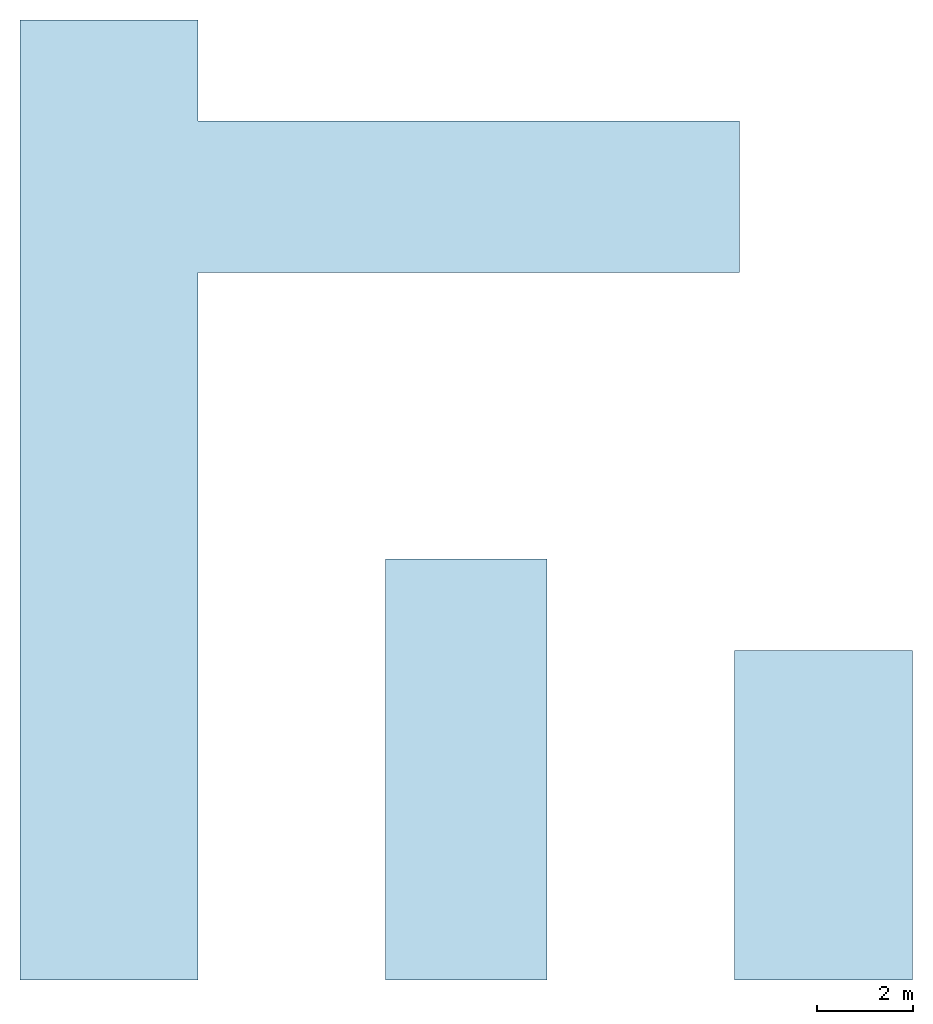
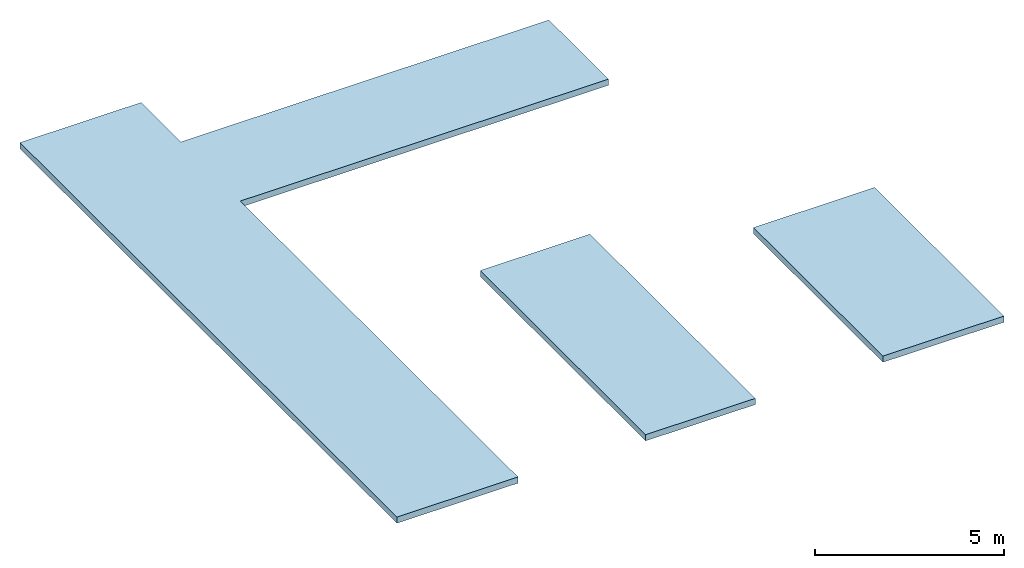
# One storey: 3 slabs.
"""IFC4 building model written with IfcOpenShell, lengths in metres."""

from ifc_helpers import new_model, si_unit, direction, frame, origin, place, context, subcontext, project, spatial, polyline, outline, extrude, material, layer, layer_set, type_object, element, save


model = new_model("IFC4")

# Units and contexts
model_context = context("Model", 3, precision=1e-05, world=origin(), true_north=direction((0.0, 1.0)))
body_context = subcontext(model_context, "Body", "Model", "MODEL_VIEW")
ifc_project = project(units=[si_unit("LENGTHUNIT", "METRE"), si_unit("AREAUNIT", "SQUARE_METRE"), si_unit("VOLUMEUNIT", "CUBIC_METRE"), si_unit("PLANEANGLEUNIT", "RADIAN"), si_unit("MASSUNIT", "GRAM", prefix="KILO")], contexts=[model_context])

# Site, building, storey
site_placement = place(None, origin())
site = spatial("IfcSite", under=ifc_project, at=site_placement, CompositionType="ELEMENT")
building_placement = place(site_placement, origin())
building = spatial("IfcBuilding", under=site, at=building_placement, Name="Welwitschia Terrace Campus", CompositionType="ELEMENT")
storey_placement = place(building_placement, frame((0.0, 0.0, 347.0)))
storey = spatial("IfcBuildingStorey", under=building, at=storey_placement, Name="UPPER ROOF", CompositionType="ELEMENT", Elevation=347.0)

# Slabs
ifc_material = material(Name="Concrete C40/50", Category="concrete")
ifc_layer = layer(ifc_material, 0.199951171875)
ifc_layer_set = layer_set([ifc_layer], Name="Concrete C40/50")
slab_type = type_object("IfcSlabType", Name="Headhouse roof slab", PredefinedType="ROOF", material=ifc_layer_set)
slab_1_placement = place(storey_placement, origin())
element("IfcSlab", 1, at=slab_1_placement, inside=storey, type_object=slab_type, Name="Head house roof", PredefinedType="ROOF", context=body_context, shape_type="SweptSolid", body=[
    extrude(outline(polyline([(5.72509765625, 11.675048828125), (5.72509765625, 11.97509765625), (5.72509765625, 18.22509765625), (5.72509765625, 18.52490234375), (5.72509765625, 25.074951171875), (9.425048828125, 25.074951171875), (9.425048828125, 22.97509765625), (20.675048828125, 22.97509765625), (20.675048828125, 19.824951171875), (9.425048828125, 19.824951171875), (9.425048828125, 18.52490234375), (9.425048828125, 18.22509765625), (9.425048828125, 11.97509765625), (9.425048828125, 11.675048828125), (9.425048828125, 5.125), (5.72509765625, 5.125), (5.72509765625, 11.675048828125)])), origin(), (0.0, 0.0, 1.0), 0.199951171875),
])
slab_2_placement = place(storey_placement, origin())
element("IfcSlab", 2, at=slab_2_placement, inside=storey, type_object=slab_type, Name="Head house roof", PredefinedType="ROOF", context=body_context, shape_type="SweptSolid", body=[
    extrude(outline(polyline([(24.27490234375, 11.97509765625), (24.27490234375, 5.125), (20.574951171875, 5.125), (20.574951171875, 11.97509765625), (24.27490234375, 11.97509765625)])), origin(), (0.0, 0.0, 1.0), 0.199951171875),
])
slab_3_placement = place(storey_placement, origin())
element("IfcSlab", 3, at=slab_3_placement, inside=storey, type_object=slab_type, Name="Head house roof", PredefinedType="ROOF", context=body_context, shape_type="SweptSolid", body=[
    extrude(outline(polyline([(16.675048828125, 13.875), (16.675048828125, 5.125), (13.324951171875, 5.125), (13.324951171875, 13.875), (16.675048828125, 13.875)])), origin(), (0.0, 0.0, 1.0), 0.199951171875),
])

save(model, "model.ifc")
